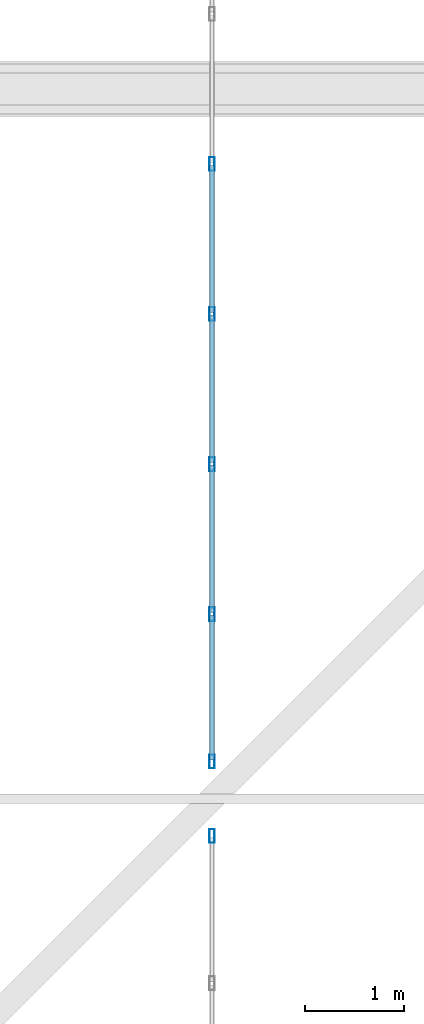
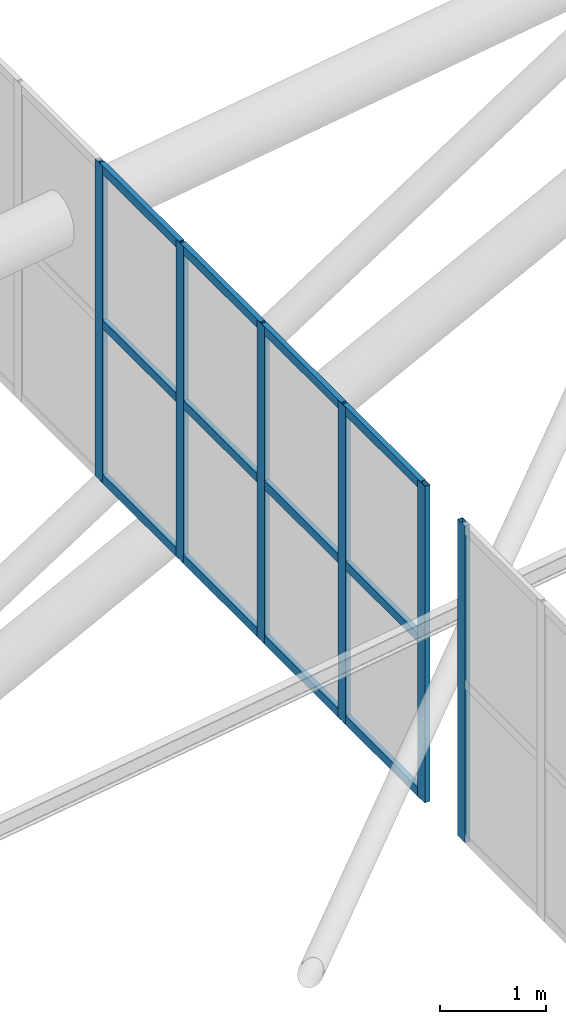
# One storey, part 181 of 397: 18 members, 2 elements without a shape of their own.
"""IFC4 building model written with IfcOpenShell, lengths in metres."""

from ifc_helpers import new_model, si_unit, direction, frame, origin, origin_2d, place, context, subcontext, project, spatial, hollow_rectangle, extrude, material, material_profile, profile_set, type_object, element, aggregate, save


model = new_model("IFC4")

# Units and contexts
model_context = context("Model", 3, precision=1e-05, world=origin(), true_north=direction((0.0, 1.0)))
body_context = subcontext(model_context, "Body", "Model", "MODEL_VIEW")
ifc_project = project(units=[si_unit("LENGTHUNIT", "METRE"), si_unit("AREAUNIT", "SQUARE_METRE"), si_unit("VOLUMEUNIT", "CUBIC_METRE"), si_unit("PLANEANGLEUNIT", "RADIAN"), si_unit("MASSUNIT", "GRAM", prefix="KILO")], contexts=[model_context])

# Site, building, storey
site_placement = place(None, origin())
site = spatial("IfcSite", under=ifc_project, at=site_placement, CompositionType="ELEMENT")
building_placement = place(site_placement, origin())
building = spatial("IfcBuilding", under=site, at=building_placement, Name="Qandorah Velis Arena", CompositionType="ELEMENT")
storey_placement = place(building_placement, frame((0.0, 0.0, 27.5)))
storey = spatial("IfcBuildingStorey", under=building, at=storey_placement, Name="RF", CompositionType="ELEMENT", Elevation=27.5)

# Curtain wall, member
ifc_material_1 = material(Name="Solar-control low-E double glazing", Category="glass")
curtain_wall_type_1 = type_object("IfcCurtainWallType", Name="ARC-CW-SYS09", PredefinedType="USERDEFINED", material=ifc_material_1)
curtain_wall_1_placement = place(storey_placement, origin())
curtain_wall_1 = element("IfcCurtainWall", 1, at=curtain_wall_1_placement, inside=storey, type_object=curtain_wall_type_1, Name="Unitised curtain wall MON-1-3", ObjectType="UNITISED CURTAIN WALL", PredefinedType="USERDEFINED")
ifc_material_2 = material(Name="Champagne-bronze anodized aluminium 6063-T6", Category="aluminium")
ifc_material_profile_1 = material_profile(ifc_material_2, hollow_rectangle(XDim=0.054931640625, YDim=0.139892578125, WallThickness=0.0029296875, at=origin_2d()), Name="ALU MULLION 55x140")
ifc_profile_set_1 = profile_set([ifc_material_profile_1], Name="Champagne-bronze anodized aluminium 6063-T6")
member_type_1 = type_object("IfcMemberType", Name="ARC-CWM-140", PredefinedType="MULLION", material=ifc_profile_set_1)
member_1_placement = place(storey_placement, frame((21.60009765625, 64.422607421875, 5.830322265625), z_axis=(0.0, 0.0, 1.0), x_axis=(-1.0, 0.0, 0.0)))
member_1 = element("IfcMember", 2, at=member_1_placement, type_object=member_type_1, Name="CW09 mullion 10", PredefinedType="MULLION", context=body_context, shape_type="SweptSolid", body=[
    extrude(hollow_rectangle(XDim=0.054931640625, YDim=0.139892578125, WallThickness=0.0029296875, at=origin_2d()), origin(), (0.0, 0.0, 1.0), 3.6298828125),
])
aggregate(curtain_wall_1, [member_1])

# Curtain wall, members
curtain_wall_type_2 = type_object("IfcCurtainWallType", Name="ARC-CW-SYS10", PredefinedType="USERDEFINED", material=ifc_material_1)
curtain_wall_2_placement = place(storey_placement, origin())
curtain_wall_2 = element("IfcCurtainWall", 3, at=curtain_wall_2_placement, inside=storey, type_object=curtain_wall_type_2, Name="Unitised curtain wall MON-1-4", ObjectType="UNITISED CURTAIN WALL", PredefinedType="USERDEFINED")
member_2_placement = place(storey_placement, frame((21.60009765625, 65.177490234375, 5.830322265625), z_axis=(0.0, 0.0, 1.0), x_axis=(-1.0, 0.0, 0.0)))
member_2 = element("IfcMember", 4, at=member_2_placement, type_object=member_type_1, Name="CW10 mullion 1", PredefinedType="MULLION", context=body_context, shape_type="SweptSolid", body=[
    extrude(hollow_rectangle(XDim=0.054931640625, YDim=0.139892578125, WallThickness=0.0029296875, at=origin_2d()), origin(), (0.0, 0.0, 1.0), 3.6298828125),
])
member_3_placement = place(storey_placement, frame((21.60009765625, 66.672119140625, 5.830322265625), z_axis=(0.0, 0.0, 1.0), x_axis=(-1.0, 0.0, 0.0)))
member_3 = element("IfcMember", 5, at=member_3_placement, type_object=member_type_1, Name="CW10 mullion 2", PredefinedType="MULLION", context=body_context, shape_type="SweptSolid", body=[
    extrude(hollow_rectangle(XDim=0.054931640625, YDim=0.139892578125, WallThickness=0.0029296875, at=origin_2d()), origin(), (0.0, 0.0, 1.0), 3.6298828125),
])
member_4_placement = place(storey_placement, frame((21.60009765625, 68.1943359375, 5.830322265625), z_axis=(0.0, 0.0, 1.0), x_axis=(-1.0, 0.0, 0.0)))
member_4 = element("IfcMember", 6, at=member_4_placement, type_object=member_type_1, Name="CW10 mullion 3", PredefinedType="MULLION", context=body_context, shape_type="SweptSolid", body=[
    extrude(hollow_rectangle(XDim=0.054931640625, YDim=0.139892578125, WallThickness=0.0029296875, at=origin_2d()), origin(), (0.0, 0.0, 1.0), 3.6298828125),
])
member_5_placement = place(storey_placement, frame((21.60009765625, 69.716552734375, 5.830322265625), z_axis=(0.0, 0.0, 1.0), x_axis=(-1.0, 0.0, 0.0)))
member_5 = element("IfcMember", 7, at=member_5_placement, type_object=member_type_1, Name="CW10 mullion 4", PredefinedType="MULLION", context=body_context, shape_type="SweptSolid", body=[
    extrude(hollow_rectangle(XDim=0.054931640625, YDim=0.139892578125, WallThickness=0.0029296875, at=origin_2d()), origin(), (0.0, 0.0, 1.0), 3.6298828125),
])
member_6_placement = place(storey_placement, frame((21.60009765625, 71.23876953125, 5.830322265625), z_axis=(0.0, 0.0, 1.0), x_axis=(-1.0, 0.0, 0.0)))
member_6 = element("IfcMember", 8, at=member_6_placement, type_object=member_type_1, Name="CW10 mullion 5", PredefinedType="MULLION", context=body_context, shape_type="SweptSolid", body=[
    extrude(hollow_rectangle(XDim=0.054931640625, YDim=0.139892578125, WallThickness=0.0029296875, at=origin_2d()), origin(), (0.0, 0.0, 1.0), 3.6298828125),
])
ifc_material_profile_2 = material_profile(ifc_material_2, hollow_rectangle(XDim=0.054931640625, YDim=0.10009765625, WallThickness=0.0029296875, at=origin_2d()), Name="ALU TRANSOM 55x100")
ifc_profile_set_2 = profile_set([ifc_material_profile_2], Name="Champagne-bronze anodized aluminium 6063-T6")
member_type_2 = type_object("IfcMemberType", Name="ARC-CWT-100", PredefinedType="USERDEFINED", material=ifc_profile_set_2)
member_7_placement = place(storey_placement, frame((21.60009765625, 65.193115234375, 5.872802734375), z_axis=(0.0, 1.0, 0.0), x_axis=(-1.0, 0.0, 0.0)))
member_7 = element("IfcMember", 9, at=member_7_placement, type_object=member_type_2, Name="CW10 transom 1.1", ObjectType="TRANSOM", PredefinedType="USERDEFINED", context=body_context, shape_type="SweptSolid", body=[
    extrude(hollow_rectangle(XDim=0.054931640625, YDim=0.10009765625, WallThickness=0.0029296875, at=origin_2d()), origin(), (0.0, 0.0, 1.0), 1.463623046875),
])
member_8_placement = place(storey_placement, frame((21.60009765625, 65.193115234375, 7.645263671875), z_axis=(0.0, 1.0, 0.0), x_axis=(-1.0, 0.0, 0.0)))
member_8 = element("IfcMember", 10, at=member_8_placement, type_object=member_type_2, Name="CW10 transom 1.2", ObjectType="TRANSOM", PredefinedType="USERDEFINED", context=body_context, shape_type="SweptSolid", body=[
    extrude(hollow_rectangle(XDim=0.054931640625, YDim=0.10009765625, WallThickness=0.0029296875, at=origin_2d()), origin(), (0.0, 0.0, 1.0), 1.463623046875),
])
member_9_placement = place(storey_placement, frame((21.60009765625, 65.193115234375, 9.417724609375), z_axis=(0.0, 1.0, 0.0), x_axis=(-1.0, 0.0, 0.0)))
member_9 = element("IfcMember", 11, at=member_9_placement, type_object=member_type_2, Name="CW10 transom 1.3", ObjectType="TRANSOM", PredefinedType="USERDEFINED", context=body_context, shape_type="SweptSolid", body=[
    extrude(hollow_rectangle(XDim=0.054931640625, YDim=0.10009765625, WallThickness=0.0029296875, at=origin_2d()), origin(), (0.0, 0.0, 1.0), 1.463623046875),
])
member_10_placement = place(storey_placement, frame((21.60009765625, 66.687744140625, 5.872802734375), z_axis=(0.0, 1.0, 0.0), x_axis=(-1.0, 0.0, 0.0)))
member_10 = element("IfcMember", 12, at=member_10_placement, type_object=member_type_2, Name="CW10 transom 2.1", ObjectType="TRANSOM", PredefinedType="USERDEFINED", context=body_context, shape_type="SweptSolid", body=[
    extrude(hollow_rectangle(XDim=0.054931640625, YDim=0.10009765625, WallThickness=0.0029296875, at=origin_2d()), origin(), (0.0, 0.0, 1.0), 1.4912109375),
])
member_11_placement = place(storey_placement, frame((21.60009765625, 66.687744140625, 7.645263671875), z_axis=(0.0, 1.0, 0.0), x_axis=(-1.0, 0.0, 0.0)))
member_11 = element("IfcMember", 13, at=member_11_placement, type_object=member_type_2, Name="CW10 transom 2.2", ObjectType="TRANSOM", PredefinedType="USERDEFINED", context=body_context, shape_type="SweptSolid", body=[
    extrude(hollow_rectangle(XDim=0.054931640625, YDim=0.10009765625, WallThickness=0.0029296875, at=origin_2d()), origin(), (0.0, 0.0, 1.0), 1.4912109375),
])
member_12_placement = place(storey_placement, frame((21.60009765625, 66.687744140625, 9.417724609375), z_axis=(0.0, 1.0, 0.0), x_axis=(-1.0, 0.0, 0.0)))
member_12 = element("IfcMember", 14, at=member_12_placement, type_object=member_type_2, Name="CW10 transom 2.3", ObjectType="TRANSOM", PredefinedType="USERDEFINED", context=body_context, shape_type="SweptSolid", body=[
    extrude(hollow_rectangle(XDim=0.054931640625, YDim=0.10009765625, WallThickness=0.0029296875, at=origin_2d()), origin(), (0.0, 0.0, 1.0), 1.4912109375),
])
member_13_placement = place(storey_placement, frame((21.60009765625, 68.2099609375, 5.872802734375), z_axis=(0.0, 1.0, 0.0), x_axis=(-1.0, 0.0, 0.0)))
member_13 = element("IfcMember", 15, at=member_13_placement, type_object=member_type_2, Name="CW10 transom 3.1", ObjectType="TRANSOM", PredefinedType="USERDEFINED", context=body_context, shape_type="SweptSolid", body=[
    extrude(hollow_rectangle(XDim=0.054931640625, YDim=0.10009765625, WallThickness=0.0029296875, at=origin_2d()), origin(), (0.0, 0.0, 1.0), 1.4912109375),
])
member_14_placement = place(storey_placement, frame((21.60009765625, 68.2099609375, 7.645263671875), z_axis=(0.0, 1.0, 0.0), x_axis=(-1.0, 0.0, 0.0)))
member_14 = element("IfcMember", 16, at=member_14_placement, type_object=member_type_2, Name="CW10 transom 3.2", ObjectType="TRANSOM", PredefinedType="USERDEFINED", context=body_context, shape_type="SweptSolid", body=[
    extrude(hollow_rectangle(XDim=0.054931640625, YDim=0.10009765625, WallThickness=0.0029296875, at=origin_2d()), origin(), (0.0, 0.0, 1.0), 1.4912109375),
])
member_15_placement = place(storey_placement, frame((21.60009765625, 68.2099609375, 9.417724609375), z_axis=(0.0, 1.0, 0.0), x_axis=(-1.0, 0.0, 0.0)))
member_15 = element("IfcMember", 17, at=member_15_placement, type_object=member_type_2, Name="CW10 transom 3.3", ObjectType="TRANSOM", PredefinedType="USERDEFINED", context=body_context, shape_type="SweptSolid", body=[
    extrude(hollow_rectangle(XDim=0.054931640625, YDim=0.10009765625, WallThickness=0.0029296875, at=origin_2d()), origin(), (0.0, 0.0, 1.0), 1.4912109375),
])
member_16_placement = place(storey_placement, frame((21.60009765625, 69.732177734375, 5.872802734375), z_axis=(0.0, 1.0, 0.0), x_axis=(-1.0, 0.0, 0.0)))
member_16 = element("IfcMember", 18, at=member_16_placement, type_object=member_type_2, Name="CW10 transom 4.1", ObjectType="TRANSOM", PredefinedType="USERDEFINED", context=body_context, shape_type="SweptSolid", body=[
    extrude(hollow_rectangle(XDim=0.054931640625, YDim=0.10009765625, WallThickness=0.0029296875, at=origin_2d()), origin(), (0.0, 0.0, 1.0), 1.4912109375),
])
member_17_placement = place(storey_placement, frame((21.60009765625, 69.732177734375, 7.645263671875), z_axis=(0.0, 1.0, 0.0), x_axis=(-1.0, 0.0, 0.0)))
member_17 = element("IfcMember", 19, at=member_17_placement, type_object=member_type_2, Name="CW10 transom 4.2", ObjectType="TRANSOM", PredefinedType="USERDEFINED", context=body_context, shape_type="SweptSolid", body=[
    extrude(hollow_rectangle(XDim=0.054931640625, YDim=0.10009765625, WallThickness=0.0029296875, at=origin_2d()), origin(), (0.0, 0.0, 1.0), 1.4912109375),
])
member_18_placement = place(storey_placement, frame((21.60009765625, 69.732177734375, 9.417724609375), z_axis=(0.0, 1.0, 0.0), x_axis=(-1.0, 0.0, 0.0)))
member_18 = element("IfcMember", 20, at=member_18_placement, type_object=member_type_2, Name="CW10 transom 4.3", ObjectType="TRANSOM", PredefinedType="USERDEFINED", context=body_context, shape_type="SweptSolid", body=[
    extrude(hollow_rectangle(XDim=0.054931640625, YDim=0.10009765625, WallThickness=0.0029296875, at=origin_2d()), origin(), (0.0, 0.0, 1.0), 1.4912109375),
])
aggregate(curtain_wall_2, [member_2, member_3, member_4, member_5, member_6, member_7, member_8, member_9, member_10, member_11, member_12, member_13, member_14, member_15, member_16, member_17, member_18])

save(model, "model.ifc")
